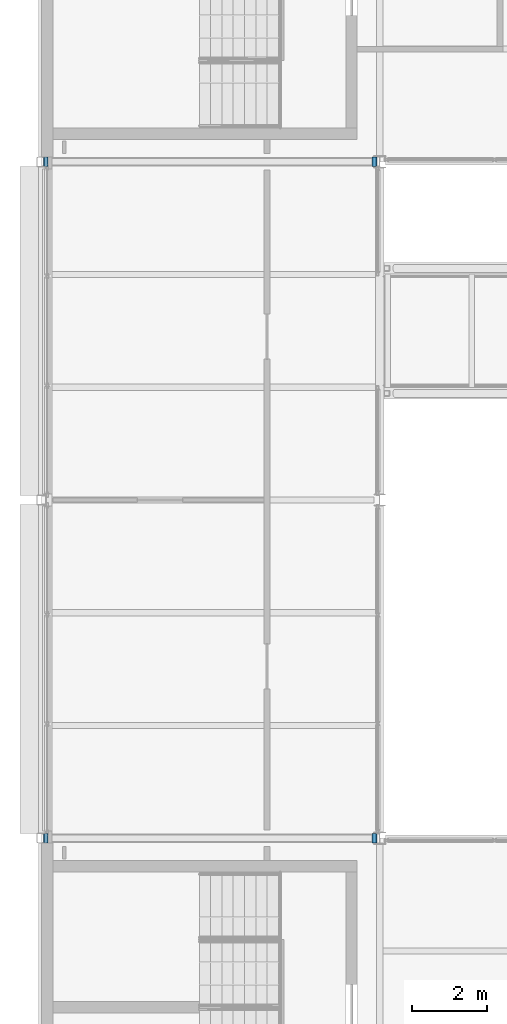
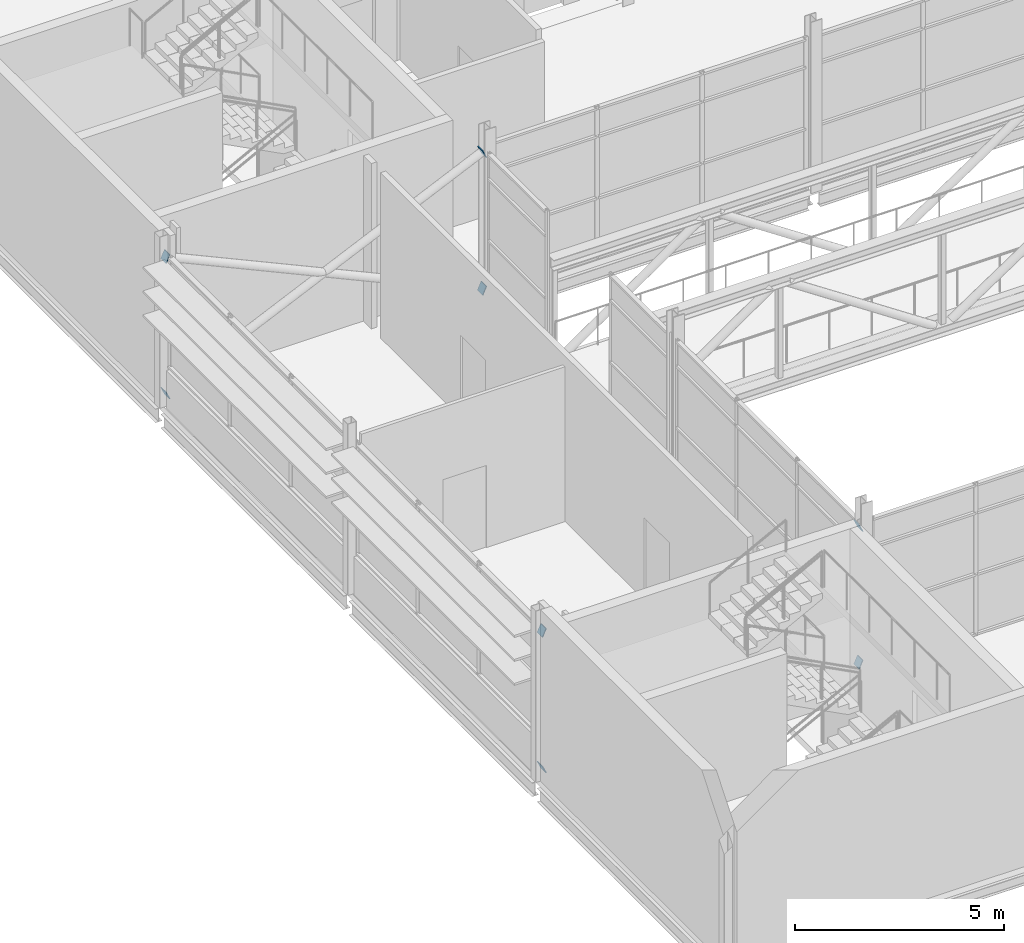
# One storey, part 85 of 94: 8 discrete accessories.
"""IFC4 building model written with IfcOpenShell, lengths in metres."""

from ifc_helpers import new_model, si_unit, direction, frame, origin, place, context, subcontext, project, spatial, polyline, outline, extrude, material, layer, layer_set, type_object, element, save


model = new_model("IFC4")

# Units and contexts
model_context = context("Model", 3, precision=1e-05, world=origin(), true_north=direction((0.0, 1.0)))
body_context = subcontext(model_context, "Body", "Model", "MODEL_VIEW")
ifc_project = project(units=[si_unit("LENGTHUNIT", "METRE"), si_unit("AREAUNIT", "SQUARE_METRE"), si_unit("VOLUMEUNIT", "CUBIC_METRE"), si_unit("PLANEANGLEUNIT", "RADIAN"), si_unit("MASSUNIT", "GRAM", prefix="KILO")], contexts=[model_context])

# Site, building, storey
site_placement = place(None, origin())
site = spatial("IfcSite", under=ifc_project, at=site_placement, CompositionType="ELEMENT")
building_placement = place(site_placement, origin())
building = spatial("IfcBuilding", under=site, at=building_placement, Name="Shorebreak Coast Museum", CompositionType="ELEMENT")
storey_placement = place(building_placement, frame((0.0, 0.0, 31.0)))
storey = spatial("IfcBuildingStorey", under=building, at=storey_placement, Name="L05", CompositionType="ELEMENT", Elevation=31.0)

# Discrete accessories
ifc_material = material(Name="Steel Grade 300", Category="steel")
ifc_layer = layer(ifc_material, 0.02490234375)
ifc_layer_set = layer_set([ifc_layer], Name="Steel Grade 300")
discrete_accessory_type = type_object("IfcDiscreteAccessoryType", Name="End plate 250 x 250 x 25", PredefinedType="BRACKET", material=ifc_layer_set)
discrete_accessory_1_placement = place(storey_placement, frame((54.1767578125, 62.875, 0.186279296875), z_axis=(0.910232642969, 0.0, 0.414097253883), x_axis=(0.0, 1.0, 0.0)))
element("IfcDiscreteAccessory", 1, at=discrete_accessory_1_placement, inside=storey, type_object=discrete_accessory_type, Name="End plate X-brace bay 01 L05 diagonal 1 end 1", PredefinedType="BRACKET", context=body_context, shape_type="SweptSolid", body=[
    extrude(outline(polyline([(0.0, 0.0), (0.25, 0.0), (0.25, 0.24997901828457428), (0.0, 0.24997901828457428), (0.0, 0.0)])), origin(), (0.0, 0.0, -1.0), 0.02490234375),
])
discrete_accessory_2_placement = place(storey_placement, frame((62.921142578125, 62.875, 4.171630859375), z_axis=(0.909864310999, 0.0, 0.41490593581), x_axis=(0.0, 1.0, 0.0)))
element("IfcDiscreteAccessory", 2, at=discrete_accessory_2_placement, inside=storey, type_object=discrete_accessory_type, Name="End plate X-brace bay 01 L05 diagonal 1 end 2", PredefinedType="BRACKET", context=body_context, shape_type="SweptSolid", body=[
    extrude(outline(polyline([(0.0, 0.0), (0.25, 0.0), (0.25, 0.2500802149829807), (0.0, 0.2500802149829807), (0.0, 0.0)])), origin(), (0.0, 0.0, -1.0), 0.02490234375),
])
discrete_accessory_3_placement = place(storey_placement, frame((62.794677734375, 63.125, 0.186279296875), z_axis=(-0.910232642969, 0.0, 0.414097253883), x_axis=(0.0, -1.0, 0.0)))
element("IfcDiscreteAccessory", 3, at=discrete_accessory_3_placement, inside=storey, type_object=discrete_accessory_type, Name="End plate X-brace bay 01 L05 diagonal 2 end 1", PredefinedType="BRACKET", context=body_context, shape_type="SweptSolid", body=[
    extrude(outline(polyline([(0.0, 0.0), (0.25, 0.0), (0.25, 0.24997901828457428), (0.0, 0.24997901828457428), (0.0, 0.0)])), origin(), (0.0, 0.0, -1.0), 0.02490234375),
])
discrete_accessory_4_placement = place(storey_placement, frame((54.05029296875, 63.125, 4.171630859375), z_axis=(-0.909864310999, 0.0, 0.41490593581), x_axis=(0.0, -1.0, 0.0)))
element("IfcDiscreteAccessory", 4, at=discrete_accessory_4_placement, inside=storey, type_object=discrete_accessory_type, Name="End plate X-brace bay 01 L05 diagonal 2 end 2", PredefinedType="BRACKET", context=body_context, shape_type="SweptSolid", body=[
    extrude(outline(polyline([(0.0, 0.0), (0.25, 0.0), (0.25, 0.2500802149829807), (0.0, 0.2500802149829807), (0.0, 0.0)])), origin(), (0.0, 0.0, -1.0), 0.02490234375),
])
discrete_accessory_5_placement = place(storey_placement, frame((54.1767578125, 80.875, 0.186279296875), z_axis=(0.910232642969, 0.0, 0.414097253883), x_axis=(0.0, 1.0, 0.0)))
element("IfcDiscreteAccessory", 5, at=discrete_accessory_5_placement, inside=storey, type_object=discrete_accessory_type, Name="End plate X-brace bay 03 L05 diagonal 1 end 1", PredefinedType="BRACKET", context=body_context, shape_type="SweptSolid", body=[
    extrude(outline(polyline([(0.0, 0.0), (0.25, 0.0), (0.25, 0.24997901828457428), (0.0, 0.24997901828457428), (0.0, 0.0)])), origin(), (0.0, 0.0, -1.0), 0.02490234375),
])
discrete_accessory_6_placement = place(storey_placement, frame((62.921142578125, 80.875, 4.171630859375), z_axis=(0.909864310999, 0.0, 0.41490593581), x_axis=(0.0, 1.0, 0.0)))
element("IfcDiscreteAccessory", 6, at=discrete_accessory_6_placement, inside=storey, type_object=discrete_accessory_type, Name="End plate X-brace bay 03 L05 diagonal 1 end 2", PredefinedType="BRACKET", context=body_context, shape_type="SweptSolid", body=[
    extrude(outline(polyline([(0.0, 0.0), (0.25, 0.0), (0.25, 0.2500802149829807), (0.0, 0.2500802149829807), (0.0, 0.0)])), origin(), (0.0, 0.0, -1.0), 0.02490234375),
])
discrete_accessory_7_placement = place(storey_placement, frame((62.794677734375, 81.125, 0.186279296875), z_axis=(-0.910232642969, 0.0, 0.414097253883), x_axis=(0.0, -1.0, 0.0)))
element("IfcDiscreteAccessory", 7, at=discrete_accessory_7_placement, inside=storey, type_object=discrete_accessory_type, Name="End plate X-brace bay 03 L05 diagonal 2 end 1", PredefinedType="BRACKET", context=body_context, shape_type="SweptSolid", body=[
    extrude(outline(polyline([(0.0, 0.0), (0.25, 0.0), (0.25, 0.24997901828457428), (0.0, 0.24997901828457428), (0.0, 0.0)])), origin(), (0.0, 0.0, -1.0), 0.02490234375),
])
discrete_accessory_8_placement = place(storey_placement, frame((54.05029296875, 81.125, 4.171630859375), z_axis=(-0.909864310999, 0.0, 0.41490593581), x_axis=(0.0, -1.0, 0.0)))
element("IfcDiscreteAccessory", 8, at=discrete_accessory_8_placement, inside=storey, type_object=discrete_accessory_type, Name="End plate X-brace bay 03 L05 diagonal 2 end 2", PredefinedType="BRACKET", context=body_context, shape_type="SweptSolid", body=[
    extrude(outline(polyline([(0.0, 0.0), (0.25, 0.0), (0.25, 0.2500802149829807), (0.0, 0.2500802149829807), (0.0, 0.0)])), origin(), (0.0, 0.0, -1.0), 0.02490234375),
])

save(model, "model.ifc")
